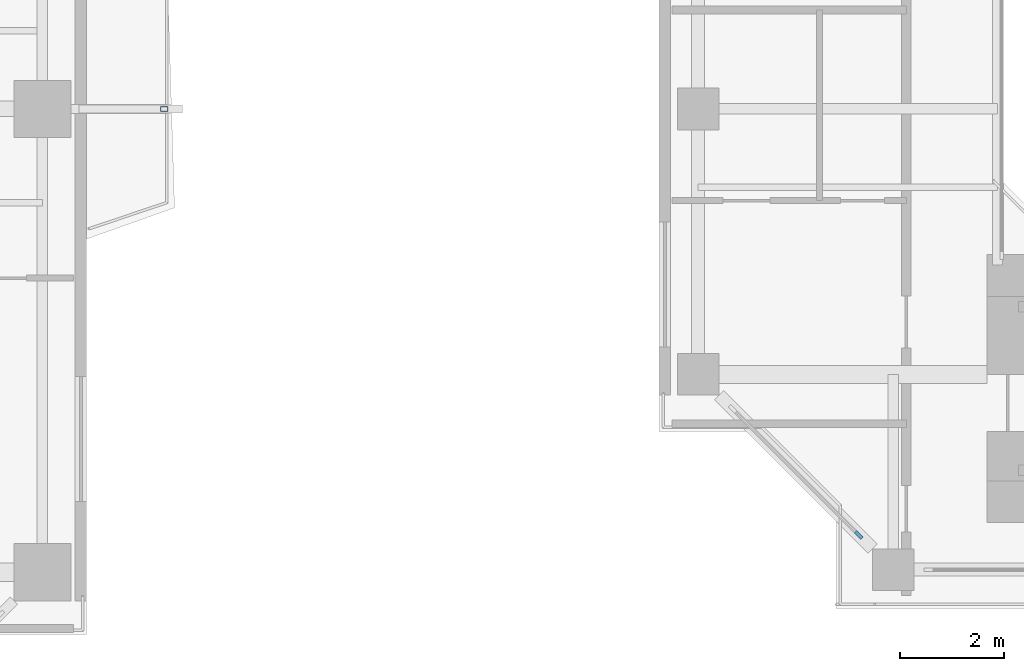
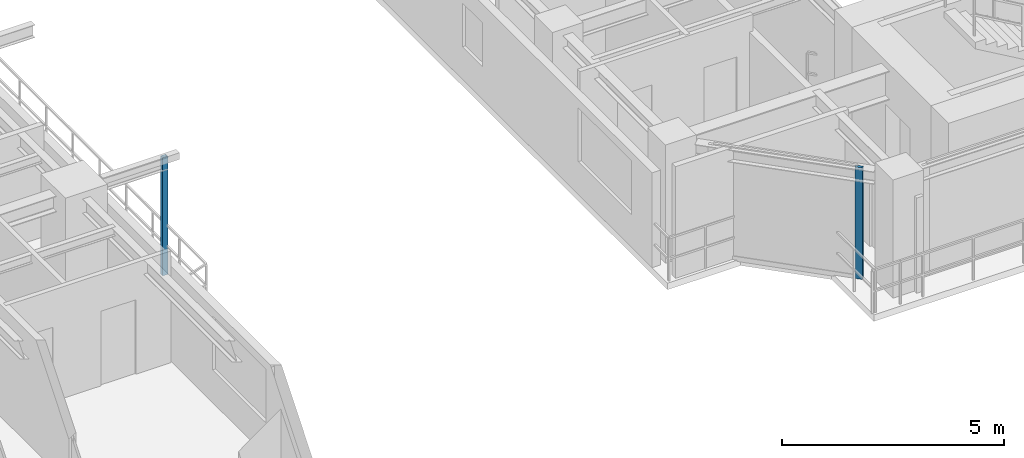
# One storey, part 7 of 24: 2 members, 1 element without a shape of its own.
"""IFC4 building model written with IfcOpenShell, lengths in metres."""

from ifc_helpers import new_model, si_unit, direction, frame, origin, origin_2d, place, context, subcontext, project, spatial, rectangle, hollow_rectangle, extrude, source, transform, mapped, material, layer, layer_set, material_profile, profile_set, type_object, element, aggregate, save


model = new_model("IFC4")

# Units and contexts
model_context = context("Model", 3, precision=1e-05, world=origin(), true_north=direction((0.0, 1.0)))
body_context = subcontext(model_context, "Body", "Model", "MODEL_VIEW")
ifc_project = project(units=[si_unit("LENGTHUNIT", "METRE"), si_unit("AREAUNIT", "SQUARE_METRE"), si_unit("VOLUMEUNIT", "CUBIC_METRE"), si_unit("PLANEANGLEUNIT", "RADIAN"), si_unit("MASSUNIT", "GRAM", prefix="KILO"), si_unit("THERMODYNAMICTEMPERATUREUNIT", "KELVIN"), si_unit("POWERUNIT", "WATT")], contexts=[model_context])

# Site, building, storey
site_placement = place(None, origin())
site = spatial("IfcSite", under=ifc_project, at=site_placement, CompositionType="ELEMENT")
building_placement = place(site_placement, origin())
building = spatial("IfcBuilding", under=site, at=building_placement, Name="Qiaomeng Ring Towers", CompositionType="ELEMENT")
storey_placement = place(building_placement, frame((0.0, 0.0, 106.75)))
storey = spatial("IfcBuildingStorey", under=building, at=storey_placement, Name="L30", CompositionType="ELEMENT", Elevation=106.75)

# Curtain wall, member
ifc_material_1 = material(Name="Fluorocarbon dark-grey aluminium", Category="aluminium")
ifc_layer = layer(ifc_material_1, 0.14990234375, Name="Fluorocarbon dark-grey aluminium")
ifc_layer_set = layer_set([ifc_layer], Name="Fluorocarbon dark-grey aluminium")
curtain_wall_type = type_object("IfcCurtainWallType", Name="ARC-CW-5", PredefinedType="NOTDEFINED", material=ifc_layer_set)
curtain_wall_placement = place(storey_placement, origin())
curtain_wall = element("IfcCurtainWall", 1, at=curtain_wall_placement, inside=storey, type_object=curtain_wall_type, Name="L30 Curtain Wall CW5", PredefinedType="NOTDEFINED")
ifc_material_profile_1 = material_profile(ifc_material_1, rectangle(XDim=0.070068359375, YDim=0.179931640625, at=origin_2d()), Name="ALU MULL 70x180")
ifc_profile_set_1 = profile_set([ifc_material_profile_1], Name="Fluorocarbon dark-grey aluminium")
member_type_1 = type_object("IfcMemberType", Name="ARC-CWM-160", PredefinedType="MULLION", material=ifc_profile_set_1)
shared_shape_1 = source(origin(), body_context, "Body", "SweptSolid", [
    extrude(rectangle(XDim=0.070068359375, YDim=0.179931640625, at=origin_2d()), origin(), (0.0, 0.0, 1.0), 3.070068359375),
])
member_1_placement = place(storey_placement, frame((51.7353515625, 11.814697265625, 0.0), z_axis=(0.0, 0.0, 1.0), x_axis=(0.707106781187, 0.707106781187, 0.0)))
member_1 = element("IfcMember", 2, at=member_1_placement, type_object=member_type_1, Name="CW5 mullion 2", PredefinedType="MULLION", context=body_context, shape_type="MappedRepresentation", body=[
    mapped(shared_shape_1, transform((0.0, 0.0, 0.0), x_axis=(1.0, 0.0, 0.0), y_axis=(0.0, 1.0, 0.0), z_axis=(0.0, 0.0, 1.0), scale=1.0)),
])
aggregate(curtain_wall, [member_1])

# Member
ifc_material_2 = material(Name="Stainless steel 316", Category="steel")
ifc_material_profile_2 = material_profile(ifc_material_2, hollow_rectangle(XDim=0.090087890625, YDim=0.139892578125, WallThickness=0.0048828125, at=origin_2d()), Name="SS TRELLIS 90x140")
ifc_profile_set_2 = profile_set([ifc_material_profile_2], Name="Stainless steel 316")
member_type_2 = type_object("IfcMemberType", Name="ARC-TR-POST1", PredefinedType="STUD", material=ifc_profile_set_2)
shared_shape_2 = source(origin(), body_context, "Body", "SweptSolid", [
    extrude(hollow_rectangle(XDim=0.090087890625, YDim=0.139892578125, WallThickness=0.0048828125, at=origin_2d()), origin(), (0.0, 0.0, 1.0), 3.25),
])
member_2_placement = place(storey_placement, frame((38.389892578125, 20.0, -0.179931640625), z_axis=(0.0, 0.0, 1.0), x_axis=(0.0, 1.0, 0.0)))
element("IfcMember", 3, at=member_2_placement, inside=storey, type_object=member_type_2, Name="L30 Outer Ventilated Trellis Post E", PredefinedType="STUD", context=body_context, shape_type="MappedRepresentation", body=[
    mapped(shared_shape_2, transform((0.0, 0.0, 0.0), x_axis=(1.0, 0.0, 0.0), y_axis=(0.0, 1.0, 0.0), z_axis=(0.0, 0.0, 1.0), scale=1.0)),
])

save(model, "model.ifc")
